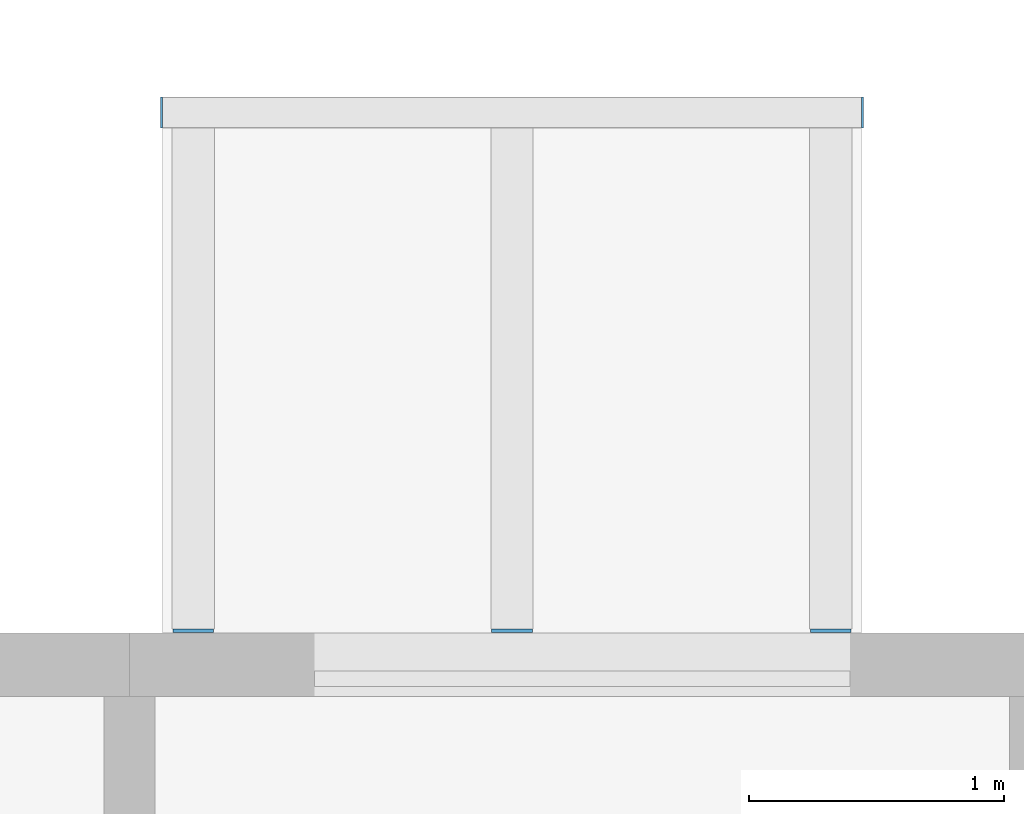
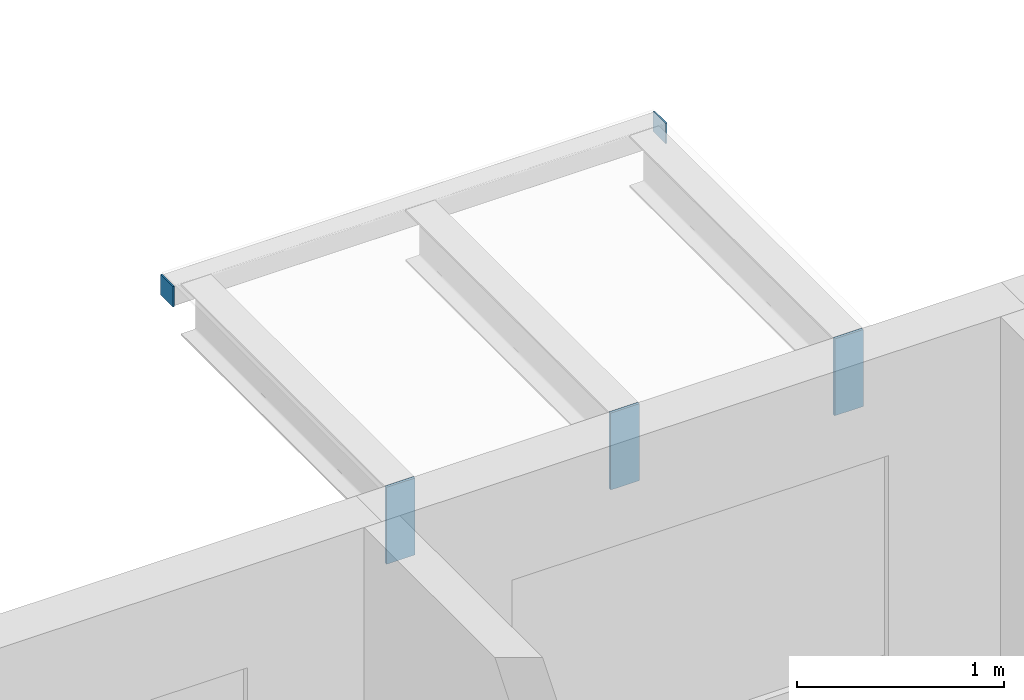
# One storey, part 67 of 93: 5 discrete accessories.
"""IFC4 building model written with IfcOpenShell, lengths in metres."""

from ifc_helpers import new_model, si_unit, direction, frame, origin, origin_2d, place, context, subcontext, project, spatial, rectangle, extrude, material, layer, layer_set, type_object, element, save


model = new_model("IFC4")

# Units and contexts
model_context = context("Model", 3, precision=1e-05, world=origin(), true_north=direction((0.0, 1.0)))
body_context = subcontext(model_context, "Body", "Model", "MODEL_VIEW")
ifc_project = project(units=[si_unit("LENGTHUNIT", "METRE"), si_unit("AREAUNIT", "SQUARE_METRE"), si_unit("VOLUMEUNIT", "CUBIC_METRE"), si_unit("PLANEANGLEUNIT", "RADIAN"), si_unit("MASSUNIT", "GRAM", prefix="KILO")], contexts=[model_context])

# Site, building, storey
site_placement = place(None, origin())
site = spatial("IfcSite", under=ifc_project, at=site_placement, CompositionType="ELEMENT")
building_placement = place(site_placement, origin())
building = spatial("IfcBuilding", under=site, at=building_placement, Name="Ridgestep Commons", CompositionType="ELEMENT")
storey_placement = place(building_placement, frame((0.0, 0.0, 18.0)))
storey = spatial("IfcBuildingStorey", under=building, at=storey_placement, Name="L06", CompositionType="ELEMENT", Elevation=18.0)

# Discrete accessories
ifc_material_1 = material(Name="Weathering steel S355J2W", Category="steel")
ifc_layer_1 = layer(ifc_material_1, 0.014892578125)
ifc_layer_set_1 = layer_set([ifc_layer_1], Name="Tray bracket plate 15")
discrete_accessory_type_1 = type_object("IfcDiscreteAccessoryType", Name="Tray bracket plate 15", PredefinedType="BRACKET", material=ifc_layer_set_1)
for number, where, z_axis, x_axis, name in (
    (1, (42.25, 77.257568359375, 2.53662109375), (0.0, 0.0, 1.0), (1.0, 0.0, 0.0), "Tray bracket B2T1-07.1"),
    (2, (43.5, 77.257568359375, 2.53662109375), (0.0, 0.0, 1.0), (1.0, 0.0, 0.0), "Tray bracket B2T1-07.2"),
    (3, (44.75, 77.257568359375, 2.53662109375), (0.0, 0.0, 1.0), (1.0, 0.0, 0.0), "Tray bracket B2T1-07.3"),
):
    element("IfcDiscreteAccessory", number, at=place(storey_placement, frame(where, z_axis=z_axis, x_axis=x_axis)), inside=storey, type_object=discrete_accessory_type_1, Name=name, PredefinedType="BRACKET", context=body_context, shape_type="SweptSolid", body=[
        extrude(rectangle(XDim=0.159912109375, YDim=0.014892578125, at=origin_2d()), origin(), (0.0, 0.0, 1.0), 0.453369140625),
    ])
ifc_material_2 = material(Name="Weathering steel S355J2W", Category="steel")
ifc_layer_2 = layer(ifc_material_2, 0.008056640625)
ifc_layer_set_2 = layer_set([ifc_layer_2], Name="Tray edge member end plate 120 x 120 x 8")
discrete_accessory_type_2 = type_object("IfcDiscreteAccessoryType", Name="Tray edge member end plate 120 x 120 x 8", PredefinedType="BRACKET", material=ifc_layer_set_2)
for number, where, z_axis, x_axis, name in (
    (4, (42.1259765625, 79.2900390625, 2.869873046875), (0.0, 0.0, 1.0), (1.0, 0.0, 0.0), "Tray edge member end plate B2T1-07 west"),
    (5, (44.8740234375, 79.2900390625, 2.869873046875), (0.0, 0.0, 1.0), (1.0, 0.0, 0.0), "Tray edge member end plate B2T1-07 east"),
):
    element("IfcDiscreteAccessory", number, at=place(storey_placement, frame(where, z_axis=z_axis, x_axis=x_axis)), inside=storey, type_object=discrete_accessory_type_2, Name=name, PredefinedType="BRACKET", context=body_context, shape_type="SweptSolid", body=[
        extrude(rectangle(XDim=0.008056640625, YDim=0.1201171875, at=origin_2d()), origin(), (0.0, 0.0, 1.0), 0.1201171875),
    ])

save(model, "model.ifc")
